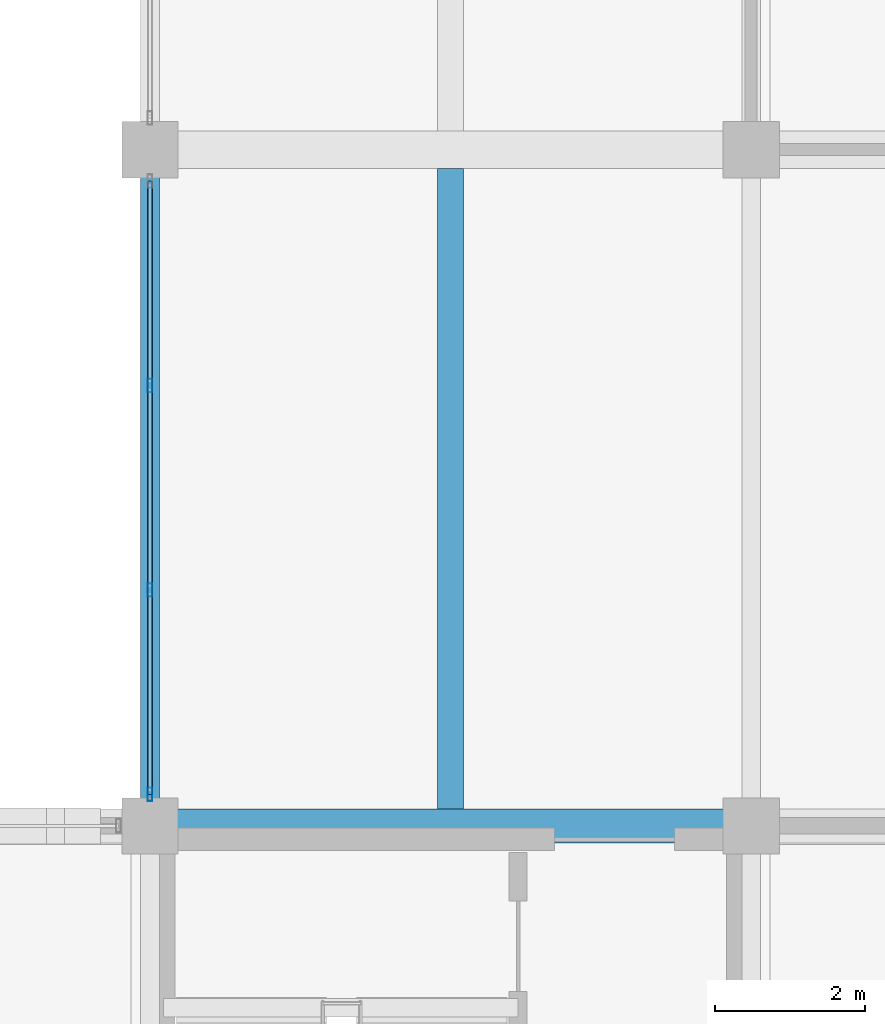
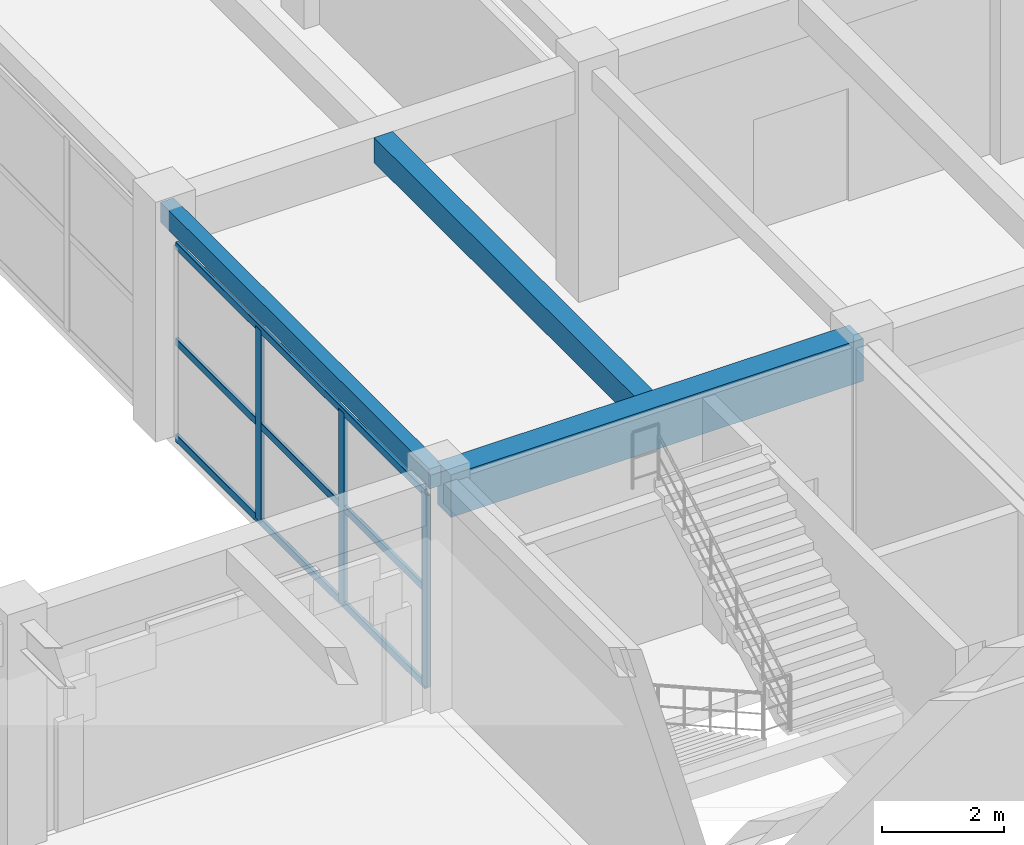
# One storey, part 75 of 144: 6 members, 3 beams, 1 element without a shape of its own.
"""IFC4 building model written with IfcOpenShell, lengths in metres."""

from ifc_helpers import new_model, si_unit, direction, frame, origin, origin_2d, place, context, subcontext, project, spatial, rectangle, hollow_rectangle, extrude, material, material_profile, profile_set, type_object, element, aggregate, save


model = new_model("IFC4")

# Units and contexts
model_context = context("Model", 3, precision=1e-05, world=origin(), true_north=direction((0.0, 1.0)))
body_context = subcontext(model_context, "Body", "Model", "MODEL_VIEW")
ifc_project = project(units=[si_unit("LENGTHUNIT", "METRE"), si_unit("AREAUNIT", "SQUARE_METRE"), si_unit("VOLUMEUNIT", "CUBIC_METRE"), si_unit("PLANEANGLEUNIT", "RADIAN"), si_unit("MASSUNIT", "GRAM", prefix="KILO")], contexts=[model_context])

# Site, building, storey
site_placement = place(None, origin())
site = spatial("IfcSite", under=ifc_project, at=site_placement, CompositionType="ELEMENT")
building_placement = place(site_placement, origin())
building = spatial("IfcBuilding", under=site, at=building_placement, Name="Varnabhumi Central Station", CompositionType="ELEMENT")
storey_placement = place(building_placement, frame((0.0, 0.0, 4.800048828125)))
storey = spatial("IfcBuildingStorey", under=building, at=storey_placement, Name="L01", CompositionType="ELEMENT", Elevation=4.800048828125)

# Beams
ifc_material_1 = material(Name="Concrete M35", Category="concrete")
ifc_material_profile_1 = material_profile(ifc_material_1, rectangle(XDim=0.25, YDim=0.39990234375, at=origin_2d()), Name="Concrete M35", Category="concrete")
ifc_profile_set_1 = profile_set([ifc_material_profile_1], Name="Concrete M35")
beam_type_1 = type_object("IfcBeamType", Name="BM-RC-250x400", PredefinedType="LINTEL", material=ifc_profile_set_1)
beam_1_placement = place(storey_placement, frame((144.0, 9.10009765625, 4.349853515625), z_axis=(0.0, 1.0, 0.0), x_axis=(-1.0, 0.0, 0.0)))
element("IfcBeam", 1, at=beam_1_placement, inside=storey, type_object=beam_type_1, Name="Beam L01-19:B-C", PredefinedType="LINTEL", context=body_context, shape_type="SweptSolid", body=[
    extrude(rectangle(XDim=0.25, YDim=0.39990234375, at=origin_2d()), origin(), (0.0, 0.0, 1.0), 8.7998046875),
])
ifc_material_2 = material(Name="Concrete M40", Category="concrete")
ifc_material_profile_2 = material_profile(ifc_material_2, rectangle(XDim=0.35009765625, YDim=0.5, at=origin_2d()), Name="Concrete M40", Category="concrete")
ifc_profile_set_2 = profile_set([ifc_material_profile_2], Name="Concrete M40")
beam_type_2 = type_object("IfcBeamType", Name="BM-RC-350x500", PredefinedType="JOIST", material=ifc_profile_set_2)
beam_2_placement = place(storey_placement, frame((148.0, 9.22509765625, 4.300048828125), z_axis=(0.0, 1.0, 0.0), x_axis=(-1.0, 0.0, 0.0)))
element("IfcBeam", 2, at=beam_2_placement, inside=storey, type_object=beam_type_2, Name="Secondary Joist L01-19/20:B-C", PredefinedType="JOIST", context=body_context, shape_type="SweptSolid", body=[
    extrude(rectangle(XDim=0.35009765625, YDim=0.5, at=origin_2d()), origin(), (0.0, 0.0, 1.0), 8.52490234375),
])
ifc_material_profile_3 = material_profile(ifc_material_2, rectangle(XDim=0.449951171875, YDim=0.85009765625, at=origin_2d()), Name="Concrete M40", Category="concrete")
ifc_profile_set_3 = profile_set([ifc_material_profile_3], Name="Concrete M40")
beam_type_3 = type_object("IfcBeamType", Name="BM-RC-450x850", PredefinedType="BEAM", material=ifc_profile_set_3)
beam_3_placement = place(storey_placement, frame((144.10009765625, 9.0, 4.125), z_axis=(1.0, 0.0, 0.0), x_axis=(0.0, 1.0, 0.0)))
element("IfcBeam", 3, at=beam_3_placement, inside=storey, type_object=beam_type_3, Name="Beam L01-B:19-20", PredefinedType="BEAM", context=body_context, shape_type="SweptSolid", body=[
    extrude(rectangle(XDim=0.449951171875, YDim=0.85009765625, at=origin_2d()), origin(), (0.0, 0.0, 1.0), 7.7998046875),
])

# Curtain wall, members
ifc_material_3 = material(Name="Anodised aluminium 6063-T6", Category="aluminium")
curtain_wall_type = type_object("IfcCurtainWallType", Name="CW-PATIO-LOGGIA-L1", PredefinedType="NOTDEFINED", material=ifc_material_3)
curtain_wall_placement = place(storey_placement, origin())
curtain_wall = element("IfcCurtainWall", 4, at=curtain_wall_placement, inside=storey, type_object=curtain_wall_type, Name="Curtain Wall CW-SP1W1", PredefinedType="NOTDEFINED")
ifc_material_profile_4 = material_profile(ifc_material_3, hollow_rectangle(XDim=0.06494140625, YDim=0.179931640625, WallThickness=0.00390625, InnerFilletRadius=0.001953125, OuterFilletRadius=0.006103515625, at=origin_2d()), Name="Anodised aluminium 6063-T6", Category="aluminium")
ifc_profile_set_4 = profile_set([ifc_material_profile_4], Name="Anodised aluminium 6063-T6")
member_type_1 = type_object("IfcMemberType", Name="CW-MUL-180", PredefinedType="MULLION", material=ifc_profile_set_4)
member_1_placement = place(storey_placement, frame((144.0, 9.419921875, 0.0), z_axis=(0.0, 0.0, 1.0), x_axis=(1.0, 0.0, 0.0)))
member_1 = element("IfcMember", 5, at=member_1_placement, type_object=member_type_1, Name="Curtain Wall Mullion CW-SP1W1-M1", PredefinedType="MULLION", context=body_context, shape_type="SweptSolid", body=[
    extrude(hollow_rectangle(XDim=0.06494140625, YDim=0.179931640625, WallThickness=0.00390625, InnerFilletRadius=0.001953125, OuterFilletRadius=0.006103515625, at=origin_2d()), origin(), (0.0, 0.0, 1.0), 3.83984375),
])
member_2_placement = place(storey_placement, frame((144.0, 12.139892578125, 0.0), z_axis=(0.0, 0.0, 1.0), x_axis=(1.0, 0.0, 0.0)))
member_2 = element("IfcMember", 6, at=member_2_placement, type_object=member_type_1, Name="Curtain Wall Mullion CW-SP1W1-M2", PredefinedType="MULLION", context=body_context, shape_type="SweptSolid", body=[
    extrude(hollow_rectangle(XDim=0.06494140625, YDim=0.179931640625, WallThickness=0.00390625, InnerFilletRadius=0.001953125, OuterFilletRadius=0.006103515625, at=origin_2d()), origin(), (0.0, 0.0, 1.0), 3.83984375),
])
member_3_placement = place(storey_placement, frame((144.0, 14.860107421875, 0.0), z_axis=(0.0, 0.0, 1.0), x_axis=(1.0, 0.0, 0.0)))
member_3 = element("IfcMember", 7, at=member_3_placement, type_object=member_type_1, Name="Curtain Wall Mullion CW-SP1W1-M3", PredefinedType="MULLION", context=body_context, shape_type="SweptSolid", body=[
    extrude(hollow_rectangle(XDim=0.06494140625, YDim=0.179931640625, WallThickness=0.00390625, InnerFilletRadius=0.001953125, OuterFilletRadius=0.006103515625, at=origin_2d()), origin(), (0.0, 0.0, 1.0), 3.83984375),
])
ifc_material_profile_5 = material_profile(ifc_material_3, hollow_rectangle(XDim=0.06005859375, YDim=0.14990234375, WallThickness=0.00390625, InnerFilletRadius=0.001953125, OuterFilletRadius=0.006103515625, at=origin_2d()), Name="Anodised aluminium 6063-T6", Category="aluminium")
ifc_profile_set_5 = profile_set([ifc_material_profile_5], Name="Anodised aluminium 6063-T6")
member_type_2 = type_object("IfcMemberType", Name="CW-TR-150", PredefinedType="USERDEFINED", material=ifc_profile_set_5)
member_4_placement = place(storey_placement, frame((144.0, 9.419921875, 0.0), z_axis=(0.0, 1.0, 0.0), x_axis=(-1.0, 0.0, 0.0)))
member_4 = element("IfcMember", 8, at=member_4_placement, type_object=member_type_2, Name="Curtain Wall Transom CW-SP1W1-T1", ObjectType="TRANSOM", PredefinedType="USERDEFINED", context=body_context, shape_type="SweptSolid", body=[
    extrude(hollow_rectangle(XDim=0.06005859375, YDim=0.14990234375, WallThickness=0.00390625, InnerFilletRadius=0.001953125, OuterFilletRadius=0.006103515625, at=origin_2d()), origin(), (0.0, 0.0, 1.0), 8.16015625),
])
member_5_placement = place(storey_placement, frame((144.0, 9.419921875, 1.919921875), z_axis=(0.0, 1.0, 0.0), x_axis=(-1.0, 0.0, 0.0)))
member_5 = element("IfcMember", 9, at=member_5_placement, type_object=member_type_2, Name="Curtain Wall Transom CW-SP1W1-T2", ObjectType="TRANSOM", PredefinedType="USERDEFINED", context=body_context, shape_type="SweptSolid", body=[
    extrude(hollow_rectangle(XDim=0.06005859375, YDim=0.14990234375, WallThickness=0.00390625, InnerFilletRadius=0.001953125, OuterFilletRadius=0.006103515625, at=origin_2d()), origin(), (0.0, 0.0, 1.0), 8.16015625),
])
member_6_placement = place(storey_placement, frame((144.0, 9.419921875, 3.83984375), z_axis=(0.0, 1.0, 0.0), x_axis=(-1.0, 0.0, 0.0)))
member_6 = element("IfcMember", 10, at=member_6_placement, type_object=member_type_2, Name="Curtain Wall Transom CW-SP1W1-T3", ObjectType="TRANSOM", PredefinedType="USERDEFINED", context=body_context, shape_type="SweptSolid", body=[
    extrude(hollow_rectangle(XDim=0.06005859375, YDim=0.14990234375, WallThickness=0.00390625, InnerFilletRadius=0.001953125, OuterFilletRadius=0.006103515625, at=origin_2d()), origin(), (0.0, 0.0, 1.0), 8.16015625),
])
aggregate(curtain_wall, [member_1, member_2, member_3, member_4, member_5, member_6])

save(model, "model.ifc")
